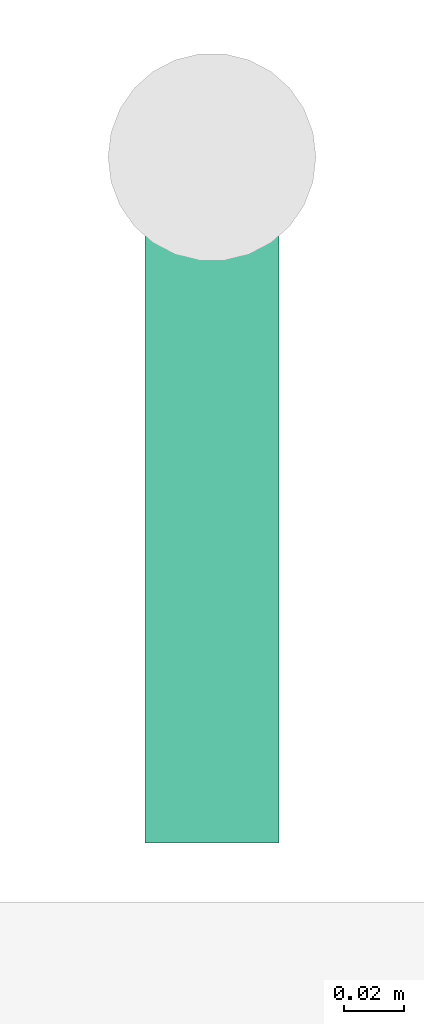
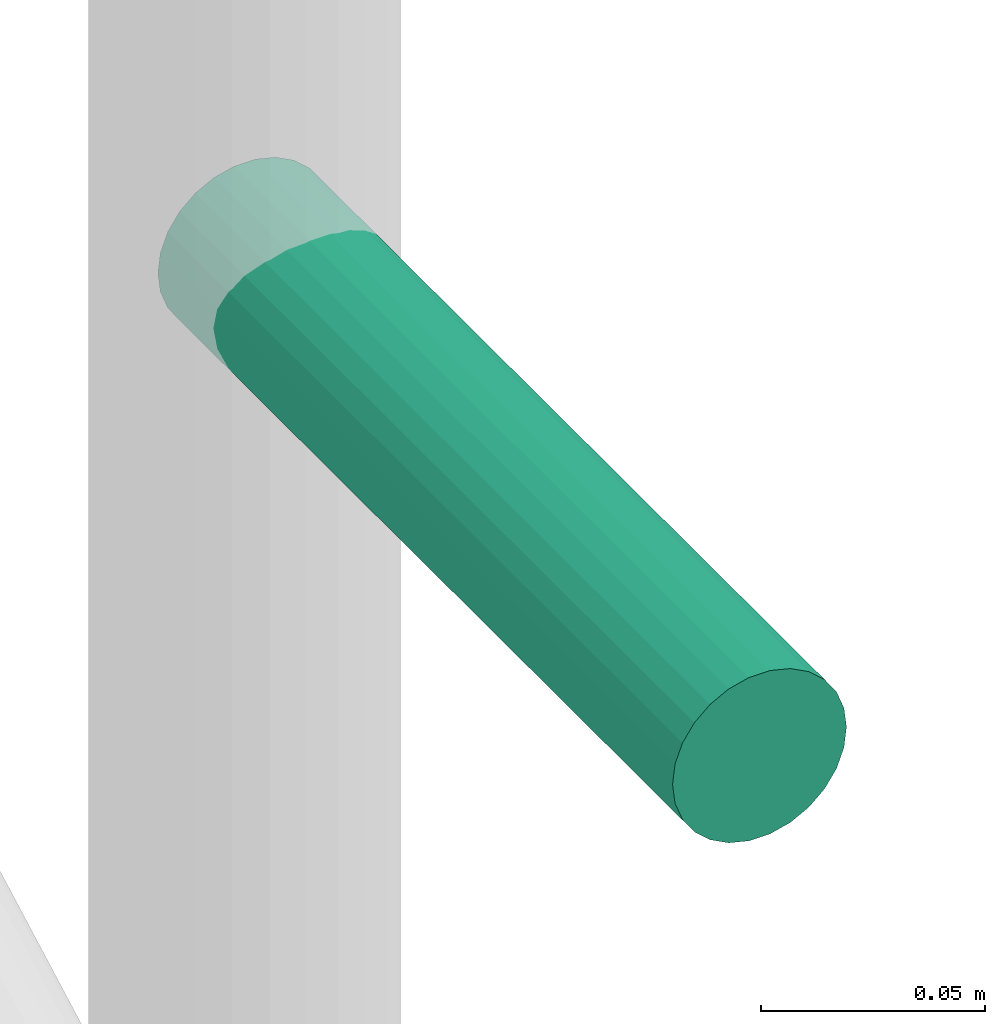
# One storey, part 43 of 45: 1 pipe fitting.
"""IFC4 building model written with IfcOpenShell, lengths in metres."""

from ifc_helpers import new_model, si_unit, direction, frame, origin, origin_2d, place, context, subcontext, project, spatial, circle, extrude, element, save


model = new_model("IFC4")

# Units and contexts
model_context = context("Model", 3, precision=1e-05, world=origin(), true_north=direction((0.0, 1.0)))
body_context = subcontext(model_context, "Body", "Model", "MODEL_VIEW")
ifc_project = project(units=[si_unit("LENGTHUNIT", "METRE"), si_unit("AREAUNIT", "SQUARE_METRE"), si_unit("VOLUMEUNIT", "CUBIC_METRE"), si_unit("PLANEANGLEUNIT", "RADIAN"), si_unit("MASSUNIT", "GRAM", prefix="KILO")], contexts=[model_context])

# Site, building, storey
site_placement = place(None, origin())
site = spatial("IfcSite", under=ifc_project, at=site_placement, CompositionType="ELEMENT")
building_placement = place(site_placement, origin())
building = spatial("IfcBuilding", under=site, at=building_placement, Name="Nzadi Deep Aquarium and Research Tower", CompositionType="ELEMENT")
storey_placement = place(building_placement, origin())
storey = spatial("IfcBuildingStorey", under=building, at=storey_placement, Name="G", CompositionType="ELEMENT", Elevation=0.0)

# Pipe fitting
pipe_fitting_placement = place(storey_placement, frame((2.300048828125, 116.360107421875, 1.10009765625), z_axis=(0.0, -1.0, 0.0), x_axis=(1.0, 0.0, 0.0)))
element("IfcPipeFitting", 1, at=pipe_fitting_placement, inside=storey, Name="Dry riser outlet ST-Z3-W G", PredefinedType="EXIT", context=body_context, shape_type="SweptSolid", body=[
    extrude(circle(Radius=0.0224609375, at=origin_2d()), origin(), (0.0, 0.0, 1.0), 0.230224609375),
])

save(model, "model.ifc")
